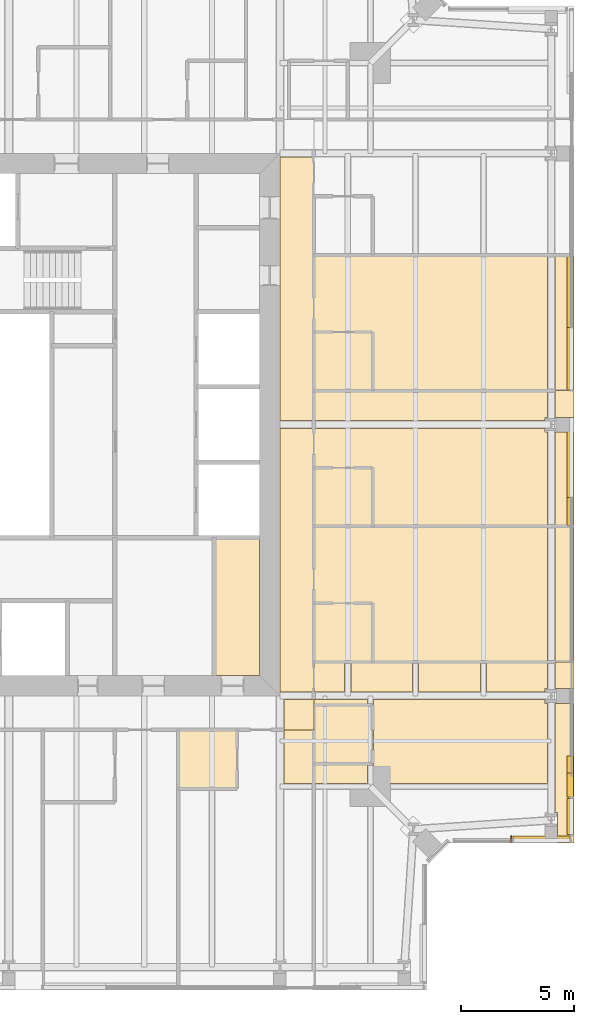
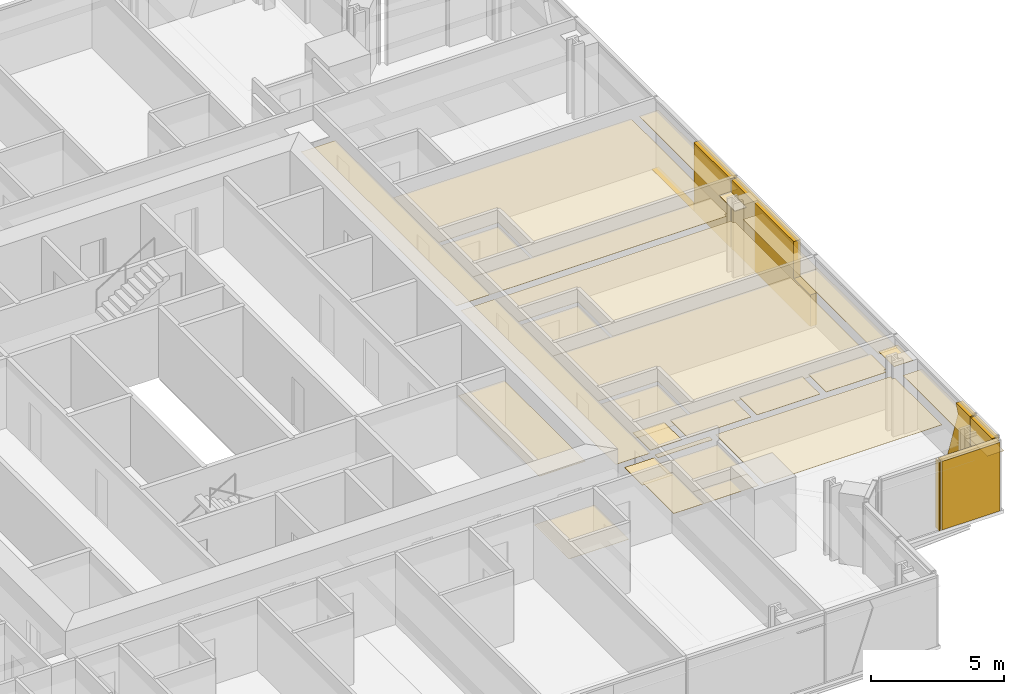
# One storey, part 18 of 20: 33 coverings.
"""IFC4 building model written with IfcOpenShell, lengths in metres."""

from ifc_helpers import new_model, si_unit, direction, frame, origin, place, context, subcontext, project, spatial, polyline, outline, extrude, material, layer, layer_set, type_object, element, save


model = new_model("IFC4")

# Units and contexts
model_context = context("Model", 3, precision=1e-05, world=origin(), true_north=direction((0.0, 1.0)))
body_context = subcontext(model_context, "Body", "Model", "MODEL_VIEW")
ifc_project = project(units=[si_unit("LENGTHUNIT", "METRE"), si_unit("AREAUNIT", "SQUARE_METRE"), si_unit("VOLUMEUNIT", "CUBIC_METRE"), si_unit("PLANEANGLEUNIT", "RADIAN"), si_unit("MASSUNIT", "GRAM", prefix="KILO")], contexts=[model_context])

# Site, building, storey
site_placement = place(None, origin())
site = spatial("IfcSite", under=ifc_project, at=site_placement, CompositionType="ELEMENT")
building_placement = place(site_placement, origin())
building = spatial("IfcBuilding", under=site, at=building_placement, Name="Fenwick Lantern Interchange", CompositionType="ELEMENT")
storey_placement = place(building_placement, frame((0.0, 0.0, 252.60009765625)))
storey = spatial("IfcBuildingStorey", under=building, at=storey_placement, Name="L59", CompositionType="ELEMENT", Elevation=252.60009765625)

# Coverings
ifc_material_1 = material(Name="Granite cladding, warm grey flamed finish, on aluminium carrier frame", Category="masonry")
ifc_layer_1 = layer(ifc_material_1, 0.300048828125)
ifc_layer_set_1 = layer_set([ifc_layer_1], Name="BRACE CASING PANEL 300")
covering_type_1 = type_object("IfcCoveringType", Name="BRACE CASING PANEL 300", PredefinedType="CLADDING", material=ifc_layer_set_1)
covering_1_placement = place(storey_placement, frame((44.45849609375, 6.60009765625, 0.0), z_axis=(0.0, 0.0, 1.0), x_axis=(1.0, 0.0, 0.0)))
element("IfcCovering", 1, at=covering_1_placement, inside=storey, type_object=covering_type_1, Name="Brace casing 04 bay 00a", PredefinedType="CLADDING", context=body_context, shape_type="SweptSolid", body=[
    extrude(outline(polyline([(2.741455078125, 0.0), (2.790771484375, 0.0), (2.790771484375, 3.14990234375), (2.741455078125, 3.14990234375), (2.741455078125, 0.0)])), frame((0.0, 0.2099609375, 0.0), z_axis=(0.0, -1.0, 0.0), x_axis=(1.0, 0.0, 0.0)), (0.0, 0.0, 1.0), 0.300048828125),
])
covering_2_placement = place(storey_placement, frame((44.45849609375, 6.60009765625, 0.0), z_axis=(0.0, 0.0, 1.0), x_axis=(1.0, 0.0, 0.0)))
element("IfcCovering", 2, at=covering_2_placement, inside=storey, type_object=covering_type_1, Name="Brace casing 04 bay 01a", PredefinedType="CLADDING", context=body_context, shape_type="SweptSolid", body=[
    extrude(outline(polyline([(2.850830078125, 0.0), (5.38134765625, 0.0), (5.38134765625, 3.14990234375), (2.850830078125, 3.14990234375), (2.850830078125, 0.0)])), frame((0.0, 0.2099609375, 0.0), z_axis=(0.0, -1.0, 0.0), x_axis=(1.0, 0.0, 0.0)), (0.0, 0.0, 1.0), 0.300048828125),
])
covering_3_placement = place(storey_placement, frame((49.89990234375, 6.60009765625, 0.0), z_axis=(0.0, 0.0, 1.0), x_axis=(0.0, 1.0, 0.0)))
element("IfcCovering", 3, at=covering_3_placement, inside=storey, type_object=covering_type_1, Name="Brace casing 05 bay 00a", PredefinedType="CLADDING", context=body_context, shape_type="SweptSolid", body=[
    extrude(outline(polyline([(0.260009765625, 0.0), (1.8701171875, 0.0), (1.8701171875, 3.14990234375), (0.260009765625, 3.14990234375), (0.260009765625, 0.0)])), frame((0.0, 0.2099609375, 0.0), z_axis=(0.0, -1.0, 0.0), x_axis=(1.0, 0.0, 0.0)), (0.0, 0.0, 1.0), 0.300048828125),
])
covering_4_placement = place(storey_placement, frame((49.89990234375, 6.60009765625, 0.0), z_axis=(0.0, 0.0, 1.0), x_axis=(0.0, 1.0, 0.0)))
element("IfcCovering", 4, at=covering_4_placement, inside=storey, type_object=covering_type_1, Name="Brace casing 05 bay 01a", PredefinedType="CLADDING", context=body_context, shape_type="SweptSolid", body=[
    extrude(outline(polyline([(1.929931640625, 0.0), (3.7431640625, 0.0), (2.81884765625, 2.737548828125), (2.985595703125, 3.14990234375), (1.929931640625, 3.14990234375), (1.929931640625, 0.0)])), frame((0.0, 0.2099609375, 0.0), z_axis=(0.0, -1.0, 0.0), x_axis=(1.0, 0.0, 0.0)), (0.0, 0.0, 1.0), 0.300048828125),
])
covering_5_placement = place(storey_placement, frame((49.89990234375, 6.60009765625, 0.0), z_axis=(0.0, 0.0, 1.0), x_axis=(0.0, 1.0, 0.0)))
element("IfcCovering", 5, at=covering_5_placement, inside=storey, type_object=covering_type_1, Name="Brace casing 05 bay 03a", PredefinedType="CLADDING", context=body_context, shape_type="SweptSolid", body=[
    extrude(outline(polyline([(13.929931640625, 0.0), (19.8701171875, 0.0), (19.8701171875, 3.14990234375), (15.179931640625, 3.14990234375), (15.179931640625, 1.45751953125), (13.929931640625, 1.45751953125), (13.929931640625, 0.0)])), frame((0.0, 0.2099609375, 0.0), z_axis=(0.0, -1.0, 0.0), x_axis=(1.0, 0.0, 0.0)), (0.0, 0.0, 1.0), 0.300048828125),
])
covering_6_placement = place(storey_placement, frame((49.89990234375, 6.60009765625, 0.0), z_axis=(0.0, 0.0, 1.0), x_axis=(0.0, 1.0, 0.0)))
element("IfcCovering", 6, at=covering_6_placement, inside=storey, type_object=covering_type_1, Name="Brace casing 05 bay 04a", PredefinedType="CLADDING", context=body_context, shape_type="SweptSolid", body=[
    extrude(outline(polyline([(19.929931640625, 0.0), (25.8701171875, 0.0), (25.8701171875, 0.004150390625), (22.690673828125, 0.004150390625), (22.690673828125, 3.14990234375), (19.929931640625, 3.14990234375), (19.929931640625, 0.0)])), frame((0.0, 0.2099609375, 0.0), z_axis=(0.0, -1.0, 0.0), x_axis=(1.0, 0.0, 0.0)), (0.0, 0.0, 1.0), 0.300048828125),
])
ifc_material_2 = material(Name="Moisture resistant gypsum board on suspended frame, painted")
ifc_layer_2 = layer(ifc_material_2, 0.014892578125)
ifc_layer_set_2 = layer_set([ifc_layer_2], Name="MOISTURE RESISTANT CEILING 15")
covering_type_2 = type_object("IfcCoveringType", Name="MOISTURE RESISTANT CEILING 15", PredefinedType="CEILING", material=ifc_layer_set_2)
covering_7_placement = place(storey_placement, frame((0.0, 0.0, 2.599853515625)))
element("IfcCovering", 7, at=covering_7_placement, inside=storey, type_object=covering_type_2, Name="Men's WC ceiling", PredefinedType="CEILING", context=body_context, shape_type="SweptSolid", body=[
    extrude(outline(polyline([(34.10009765625, 13.89990234375), (36.10009765625, 13.89990234375), (36.10009765625, 20.0), (34.10009765625, 20.0), (34.10009765625, 13.89990234375)])), origin(), (0.0, 0.0, 1.0), 0.01513671875),
])
covering_8_placement = place(storey_placement, frame((0.0, 0.0, 2.39990234375)))
element("IfcCovering", 8, at=covering_8_placement, inside=storey, type_object=covering_type_2, Name="En-suite 5905 ceiling", PredefinedType="CEILING", context=body_context, shape_type="SweptSolid", body=[
    extrude(outline(polyline([(32.5, 8.89990234375), (35.10009765625, 8.89990234375), (35.10009765625, 11.5), (32.5, 11.5), (32.5, 8.89990234375)])), origin(), (0.0, 0.0, 1.0), 0.014892578125),
])
covering_9_placement = place(storey_placement, frame((0.0, 0.0, 2.39990234375)))
element("IfcCovering", 9, at=covering_9_placement, inside=storey, type_object=covering_type_2, Name="En-suite 5906 ceiling", PredefinedType="CEILING", context=body_context, shape_type="SweptSolid", body=[
    extrude(outline(polyline([(41.10009765625, 10.0), (41.10009765625, 12.60009765625), (38.5, 12.60009765625), (38.5, 10.0), (41.10009765625, 10.0)])), origin(), (0.0, 0.0, 1.0), 0.014892578125),
])
covering_10_placement = place(storey_placement, frame((0.0, 0.0, 2.39990234375)))
element("IfcCovering", 10, at=covering_10_placement, inside=storey, type_object=covering_type_2, Name="En-suite 5907 ceiling", PredefinedType="CEILING", context=body_context, shape_type="SweptSolid", body=[
    extrude(outline(polyline([(41.10009765625, 14.5), (41.10009765625, 17.10009765625), (38.5, 17.10009765625), (38.5, 14.5), (41.10009765625, 14.5)])), origin(), (0.0, 0.0, 1.0), 0.014892578125),
])
covering_11_placement = place(storey_placement, frame((0.0, 0.0, 2.39990234375)))
element("IfcCovering", 11, at=covering_11_placement, inside=storey, type_object=covering_type_2, Name="En-suite 5908 ceiling", PredefinedType="CEILING", context=body_context, shape_type="SweptSolid", body=[
    extrude(outline(polyline([(41.10009765625, 20.5), (41.10009765625, 23.10009765625), (38.5, 23.10009765625), (38.5, 20.5), (41.10009765625, 20.5)])), origin(), (0.0, 0.0, 1.0), 0.014892578125),
])
covering_12_placement = place(storey_placement, frame((0.0, 0.0, 2.39990234375)))
element("IfcCovering", 12, at=covering_12_placement, inside=storey, type_object=covering_type_2, Name="En-suite 5909 ceiling", PredefinedType="CEILING", context=body_context, shape_type="SweptSolid", body=[
    extrude(outline(polyline([(41.10009765625, 26.5), (41.10009765625, 29.10009765625), (38.5, 29.10009765625), (38.5, 26.5), (41.10009765625, 26.5)])), origin(), (0.0, 0.0, 1.0), 0.014892578125),
])
ifc_material_3 = material(Name="Gypsum plasterboard on suspended frame, painted")
ifc_layer_3 = layer(ifc_material_3, 0.014892578125)
ifc_layer_set_3 = layer_set([ifc_layer_3], Name="PLASTERBOARD CEILING 15")
covering_type_3 = type_object("IfcCoveringType", Name="PLASTERBOARD CEILING 15", PredefinedType="CEILING", material=ifc_layer_set_3)
covering_13_placement = place(storey_placement, frame((0.0, 0.0, 2.57275390625)))
element("IfcCovering", 13, at=covering_13_placement, inside=storey, type_object=covering_type_3, Name="Corridor ceiling", PredefinedType="CEILING", context=body_context, shape_type="SweptSolid", body=[
    extrude(outline(polyline([(38.5, 25.175048828125), (38.5, 36.833984375), (37.0, 36.833984375), (37.0, 25.175048828125), (38.5, 25.175048828125)])), origin(), (0.0, 0.0, 1.0), 0.014892578125),
])
covering_14_placement = place(storey_placement, frame((0.0, 0.0, 2.57275390625)))
element("IfcCovering", 14, at=covering_14_placement, inside=storey, type_object=covering_type_3, Name="Corridor ceiling", PredefinedType="CEILING", context=body_context, shape_type="SweptSolid", body=[
    extrude(outline(polyline([(38.5, 13.166015625), (38.5, 24.824951171875), (37.0, 24.824951171875), (37.0, 13.166015625), (38.5, 13.166015625)])), origin(), (0.0, 0.0, 1.0), 0.014892578125),
])
covering_15_placement = place(storey_placement, frame((0.0, 0.0, 2.57275390625)))
element("IfcCovering", 15, at=covering_15_placement, inside=storey, type_object=covering_type_3, Name="Corridor ceiling", PredefinedType="CEILING", context=body_context, shape_type="SweptSolid", body=[
    extrude(outline(polyline([(38.5, 11.5), (38.5, 12.833984375), (37.183837890625, 12.833984375), (37.183837890625, 11.5), (38.5, 11.5)])), origin(), (0.0, 0.0, 1.0), 0.014892578125),
])
covering_16_placement = place(storey_placement, frame((0.0, 0.0, 2.699951171875)))
element("IfcCovering", 16, at=covering_16_placement, inside=storey, type_object=covering_type_3, Name="Guest room 5905 ceiling", PredefinedType="CEILING", context=body_context, shape_type="SweptSolid", body=[
    extrude(outline(polyline([(38.5, 11.5), (37.183837890625, 11.5), (37.183837890625, 9.134521484375), (38.5, 9.134521484375), (38.5, 11.5)])), origin(), (0.0, 0.0, 1.0), 0.014892578125),
])
covering_17_placement = place(storey_placement, frame((0.0, 0.0, 2.699951171875)))
element("IfcCovering", 17, at=covering_17_placement, inside=storey, type_object=covering_type_3, Name="Guest suite 5906 ceiling", PredefinedType="CEILING", context=body_context, shape_type="SweptSolid", body=[
    extrude(outline(polyline([(48.72265625, 12.66552734375), (48.72265625, 12.833984375), (41.134521484375, 12.833984375), (41.134521484375, 9.134521484375), (48.82763671875, 9.134521484375), (48.82763671875, 12.66552734375), (48.72265625, 12.66552734375)])), origin(), (0.0, 0.0, 1.0), 0.014892578125),
])
covering_18_placement = place(storey_placement, frame((0.0, 0.0, 2.699951171875)))
element("IfcCovering", 18, at=covering_18_placement, inside=storey, type_object=covering_type_3, Name="Guest suite 5906 ceiling", PredefinedType="CEILING", context=body_context, shape_type="SweptSolid", body=[
    extrude(outline(polyline([(50.0, 12.66552734375), (49.17236328125, 12.66552734375), (49.17236328125, 7.83447265625), (49.27734375, 7.83447265625), (49.27734375, 6.5), (50.0, 6.5), (50.0, 12.66552734375)])), origin(), (0.0, 0.0, 1.0), 0.014892578125),
])
covering_19_placement = place(storey_placement, frame((0.0, 0.0, 2.699951171875)))
element("IfcCovering", 19, at=covering_19_placement, inside=storey, type_object=covering_type_3, Name="Guest suite 5906 ceiling", PredefinedType="CEILING", context=body_context, shape_type="SweptSolid", body=[
    extrude(outline(polyline([(42.865478515625, 14.5), (40.134521484375, 14.5), (40.134521484375, 13.166015625), (42.865478515625, 13.166015625), (42.865478515625, 14.5)])), origin(), (0.0, 0.0, 1.0), 0.014892578125),
])
covering_20_placement = place(storey_placement, frame((0.0, 0.0, 2.699951171875)))
element("IfcCovering", 20, at=covering_20_placement, inside=storey, type_object=covering_type_3, Name="Guest suite 5906 ceiling", PredefinedType="CEILING", context=body_context, shape_type="SweptSolid", body=[
    extrude(outline(polyline([(45.865478515625, 14.5), (43.134521484375, 14.5), (43.134521484375, 13.166015625), (45.865478515625, 13.166015625), (45.865478515625, 14.5)])), origin(), (0.0, 0.0, 1.0), 0.014892578125),
])
covering_21_placement = place(storey_placement, frame((0.0, 0.0, 2.699951171875)))
element("IfcCovering", 21, at=covering_21_placement, inside=storey, type_object=covering_type_3, Name="Guest suite 5906 ceiling", PredefinedType="CEILING", context=body_context, shape_type="SweptSolid", body=[
    extrude(outline(polyline([(48.82763671875, 14.5), (46.134521484375, 14.5), (46.134521484375, 13.166015625), (48.72265625, 13.166015625), (48.72265625, 13.33447265625), (48.82763671875, 13.33447265625), (48.82763671875, 14.5)])), origin(), (0.0, 0.0, 1.0), 0.014892578125),
])
covering_22_placement = place(storey_placement, frame((0.0, 0.0, 2.699951171875)))
element("IfcCovering", 22, at=covering_22_placement, inside=storey, type_object=covering_type_3, Name="Guest suite 5906 ceiling", PredefinedType="CEILING", context=body_context, shape_type="SweptSolid", body=[
    extrude(outline(polyline([(38.5, 10.0), (38.5, 9.134521484375), (40.865478515625, 9.134521484375), (40.865478515625, 10.0), (38.5, 10.0)])), origin(), (0.0, 0.0, 1.0), 0.014892578125),
])
covering_23_placement = place(storey_placement, frame((0.0, 0.0, 2.699951171875)))
element("IfcCovering", 23, at=covering_23_placement, inside=storey, type_object=covering_type_3, Name="Guest suite 5906 ceiling", PredefinedType="CEILING", context=body_context, shape_type="SweptSolid", body=[
    extrude(outline(polyline([(38.5, 14.5), (38.5, 13.166015625), (39.865478515625, 13.166015625), (39.865478515625, 14.5), (38.5, 14.5)])), origin(), (0.0, 0.0, 1.0), 0.014892578125),
])
covering_24_placement = place(storey_placement, frame((0.0, 0.0, 2.699951171875)))
element("IfcCovering", 24, at=covering_24_placement, inside=storey, type_object=covering_type_3, Name="Guest suite 5906 ceiling", PredefinedType="CEILING", context=body_context, shape_type="SweptSolid", body=[
    extrude(outline(polyline([(50.0, 14.5), (49.17236328125, 14.5), (49.17236328125, 13.33447265625), (50.0, 13.33447265625), (50.0, 14.5)])), origin(), (0.0, 0.0, 1.0), 0.014892578125),
])
covering_25_placement = place(storey_placement, frame((0.0, 0.0, 2.699951171875)))
element("IfcCovering", 25, at=covering_25_placement, inside=storey, type_object=covering_type_3, Name="Guest suite 5906 ceiling", PredefinedType="CEILING", context=body_context, shape_type="SweptSolid", body=[
    extrude(outline(polyline([(38.5, 12.60009765625), (40.865478515625, 12.60009765625), (40.865478515625, 12.833984375), (38.5, 12.833984375), (38.5, 12.60009765625)])), origin(), (0.0, 0.0, 1.0), 0.014892578125),
])
covering_26_placement = place(storey_placement, frame((0.0, 0.0, 2.57275390625)))
element("IfcCovering", 26, at=covering_26_placement, inside=storey, type_object=covering_type_3, Name="Guest room 5907 ceiling", PredefinedType="CEILING", context=body_context, shape_type="SweptSolid", body=[
    extrude(outline(polyline([(48.82763671875, 20.5), (38.5, 20.5), (38.5, 17.10009765625), (41.10009765625, 17.10009765625), (41.10009765625, 14.5), (48.82763671875, 14.5), (48.82763671875, 20.5)])), origin(), (0.0, 0.0, 1.0), 0.014892578125),
])
covering_27_placement = place(storey_placement, frame((0.0, 0.0, 2.57275390625)))
element("IfcCovering", 27, at=covering_27_placement, inside=storey, type_object=covering_type_3, Name="Guest room 5907 ceiling", PredefinedType="CEILING", context=body_context, shape_type="SweptSolid", body=[
    extrude(outline(polyline([(50.0, 20.5), (49.17236328125, 20.5), (49.17236328125, 14.5), (50.0, 14.5), (50.0, 20.5)])), origin(), (0.0, 0.0, 1.0), 0.014892578125),
])
covering_28_placement = place(storey_placement, frame((0.0, 0.0, 2.57275390625)))
element("IfcCovering", 28, at=covering_28_placement, inside=storey, type_object=covering_type_3, Name="Guest room 5908 ceiling", PredefinedType="CEILING", context=body_context, shape_type="SweptSolid", body=[
    extrude(outline(polyline([(48.72900390625, 24.6845703125), (48.72900390625, 24.824951171875), (38.5, 24.824951171875), (38.5, 23.10009765625), (41.10009765625, 23.10009765625), (41.10009765625, 20.5), (48.82763671875, 20.5), (48.82763671875, 24.6845703125), (48.72900390625, 24.6845703125)])), origin(), (0.0, 0.0, 1.0), 0.014892578125),
])
covering_29_placement = place(storey_placement, frame((0.0, 0.0, 2.57275390625)))
element("IfcCovering", 29, at=covering_29_placement, inside=storey, type_object=covering_type_3, Name="Guest room 5908 ceiling", PredefinedType="CEILING", context=body_context, shape_type="SweptSolid", body=[
    extrude(outline(polyline([(48.72900390625, 25.3154296875), (48.82763671875, 25.3154296875), (48.82763671875, 26.5), (38.5, 26.5), (38.5, 25.175048828125), (48.72900390625, 25.175048828125), (48.72900390625, 25.3154296875)])), origin(), (0.0, 0.0, 1.0), 0.014892578125),
])
covering_30_placement = place(storey_placement, frame((0.0, 0.0, 2.57275390625)))
element("IfcCovering", 30, at=covering_30_placement, inside=storey, type_object=covering_type_3, Name="Guest room 5908 ceiling", PredefinedType="CEILING", context=body_context, shape_type="SweptSolid", body=[
    extrude(outline(polyline([(50.0, 24.6845703125), (49.17236328125, 24.6845703125), (49.17236328125, 20.5), (50.0, 20.5), (50.0, 24.6845703125)])), origin(), (0.0, 0.0, 1.0), 0.014892578125),
])
covering_31_placement = place(storey_placement, frame((0.0, 0.0, 2.57275390625)))
element("IfcCovering", 31, at=covering_31_placement, inside=storey, type_object=covering_type_3, Name="Guest room 5908 ceiling", PredefinedType="CEILING", context=body_context, shape_type="SweptSolid", body=[
    extrude(outline(polyline([(50.0, 25.3154296875), (50.0, 26.5), (49.17236328125, 26.5), (49.17236328125, 25.3154296875), (50.0, 25.3154296875)])), origin(), (0.0, 0.0, 1.0), 0.014892578125),
])
covering_32_placement = place(storey_placement, frame((0.0, 0.0, 2.57275390625)))
element("IfcCovering", 32, at=covering_32_placement, inside=storey, type_object=covering_type_3, Name="Guest room 5909 ceiling", PredefinedType="CEILING", context=body_context, shape_type="SweptSolid", body=[
    extrude(outline(polyline([(48.82763671875, 32.5), (38.5, 32.5), (38.5, 29.10009765625), (41.10009765625, 29.10009765625), (41.10009765625, 26.5), (48.82763671875, 26.5), (48.82763671875, 32.5)])), origin(), (0.0, 0.0, 1.0), 0.014892578125),
])
covering_33_placement = place(storey_placement, frame((0.0, 0.0, 2.57275390625)))
element("IfcCovering", 33, at=covering_33_placement, inside=storey, type_object=covering_type_3, Name="Guest room 5909 ceiling", PredefinedType="CEILING", context=body_context, shape_type="SweptSolid", body=[
    extrude(outline(polyline([(50.0, 32.5), (49.17236328125, 32.5), (49.17236328125, 26.5), (50.0, 26.5), (50.0, 32.5)])), origin(), (0.0, 0.0, 1.0), 0.014892578125),
])

save(model, "model.ifc")
